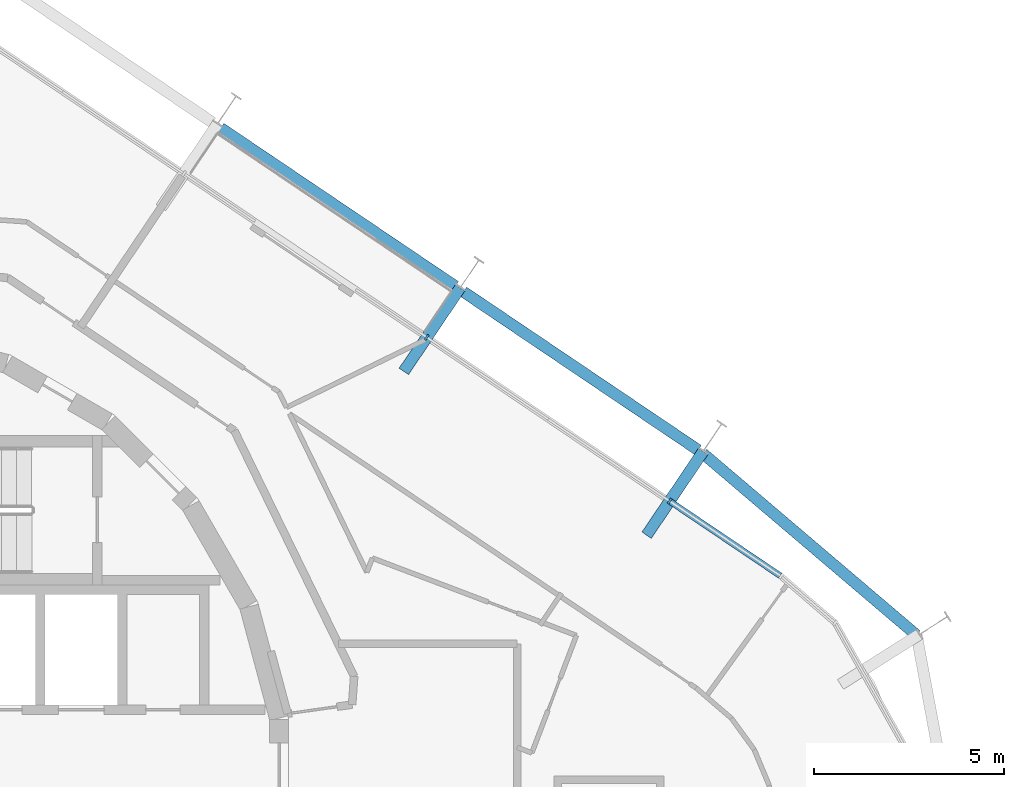
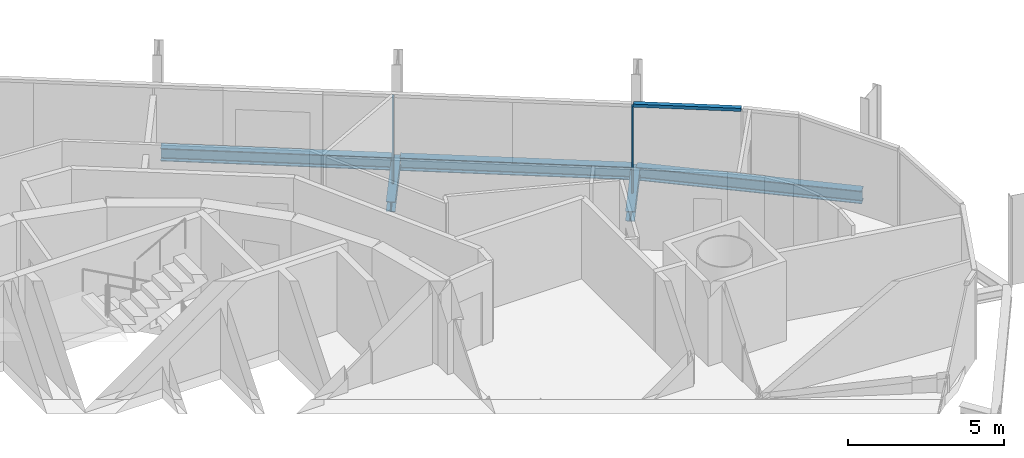
# One storey, part 9 of 18: 5 beams, 3 members, 2 elements without a shape of their own.
"""IFC4 building model written with IfcOpenShell, lengths in metres."""

from ifc_helpers import new_model, si_unit, direction, frame, origin, origin_2d, place, context, subcontext, project, spatial, rectangle, i_section, extrude, material, layer, layer_set, material_profile, profile_set, type_object, element, aggregate, save


model = new_model("IFC4")

# Units and contexts
model_context = context("Model", 3, precision=1e-05, world=origin(), true_north=direction((0.0, 1.0)))
body_context = subcontext(model_context, "Body", "Model", "MODEL_VIEW")
ifc_project = project(units=[si_unit("LENGTHUNIT", "METRE"), si_unit("AREAUNIT", "SQUARE_METRE"), si_unit("VOLUMEUNIT", "CUBIC_METRE"), si_unit("PLANEANGLEUNIT", "RADIAN"), si_unit("MASSUNIT", "GRAM", prefix="KILO")], contexts=[model_context])

# Site, building, storey
site_placement = place(None, origin())
site = spatial("IfcSite", under=ifc_project, at=site_placement, CompositionType="ELEMENT")
building_placement = place(site_placement, origin())
building = spatial("IfcBuilding", under=site, at=building_placement, Name="Spindle Arch Residences", CompositionType="ELEMENT")
storey_placement = place(building_placement, frame((0.0, 0.0, 195.39990234375)))
storey = spatial("IfcBuildingStorey", under=building, at=storey_placement, Name="L49", CompositionType="ELEMENT", Elevation=195.39990234375)

# Curtain wall, members
ifc_material_1 = material(Name="Aluminium bronze unitised frame with tinted glass", Category="aluminium")
ifc_layer_1 = layer(ifc_material_1, 0.159912109375)
ifc_layer_set_1 = layer_set([ifc_layer_1], Name="CW-C typical residential unitised wall")
curtain_wall_type_1 = type_object("IfcCurtainWallType", Name="CW-C typical residential unitised wall", PredefinedType="NOTDEFINED", material=ifc_layer_set_1)
curtain_wall_1_placement = place(storey_placement, origin())
curtain_wall_1 = element("IfcCurtainWall", 1, at=curtain_wall_1_placement, inside=storey, type_object=curtain_wall_type_1, Name="CW-C L49 run 2", PredefinedType="NOTDEFINED")
ifc_material_2 = material(Name="Aluminium bronze anodised mullion", Category="aluminium")
ifc_material_profile_1 = material_profile(ifc_material_2, rectangle(XDim=0.159912109375, YDim=0.06005859375, at=origin_2d()), Name="MU 60x160")
ifc_profile_set_1 = profile_set([ifc_material_profile_1], Name="Aluminium bronze anodised mullion")
member_type_1 = type_object("IfcMemberType", Name="Bronze mullion 60x160", PredefinedType="MULLION", material=ifc_profile_set_1)
member_1_placement = place(storey_placement, frame((21.905029296875, 7.25146484375, -0.3798828125), z_axis=(0.0, 0.0, 1.0), x_axis=(-0.559192903471, -0.829037572555, 0.0)))
member_1 = element("IfcMember", 2, at=member_1_placement, type_object=member_type_1, Name="CW-C mullion 05", PredefinedType="MULLION", context=body_context, shape_type="SweptSolid", body=[
    extrude(rectangle(XDim=0.159912109375, YDim=0.06005859375, at=origin_2d()), origin(), (0.0, 0.0, 1.0), 3.3798828125),
])
member_2_placement = place(storey_placement, frame((15.526611328125, 11.5537109375, -0.3798828125), z_axis=(0.0, 0.0, 1.0), x_axis=(-0.559192903471, -0.829037572555, 0.0)))
member_2 = element("IfcMember", 3, at=member_2_placement, type_object=member_type_1, Name="CW-C mullion 06", PredefinedType="MULLION", context=body_context, shape_type="SweptSolid", body=[
    extrude(rectangle(XDim=0.159912109375, YDim=0.06005859375, at=origin_2d()), origin(), (0.0, 0.0, 1.0), 3.3798828125),
])
aggregate(curtain_wall_1, [member_1, member_2])

# Curtain wall, member
ifc_material_3 = material(Name="Aluminium bronze unitised frame with tinted glass", Category="aluminium")
ifc_layer_2 = layer(ifc_material_3, 0.159912109375)
ifc_layer_set_2 = layer_set([ifc_layer_2], Name="CW-D corner wall on the fillet arcs")
curtain_wall_type_2 = type_object("IfcCurtainWallType", Name="CW-D corner wall on the fillet arcs", PredefinedType="NOTDEFINED", material=ifc_layer_set_2)
curtain_wall_2_placement = place(storey_placement, origin())
curtain_wall_2 = element("IfcCurtainWall", 4, at=curtain_wall_2_placement, inside=storey, type_object=curtain_wall_type_2, Name="CW-D L49 run 1", PredefinedType="NOTDEFINED")
ifc_material_4 = material(Name="Aluminium bronze anodised transom", Category="aluminium")
ifc_material_profile_2 = material_profile(ifc_material_4, rectangle(XDim=0.159912109375, YDim=0.1201171875, at=origin_2d()), Name="TR 120x160")
ifc_profile_set_2 = profile_set([ifc_material_profile_2], Name="Aluminium bronze anodised transom")
member_type_2 = type_object("IfcMemberType", Name="Bronze transom 120x160", PredefinedType="USERDEFINED", material=ifc_profile_set_2)
member_3_placement = place(storey_placement, frame((24.805419921875, 5.295166015625, 3.06005859375), z_axis=(-0.829049362711, 0.559175423448, 0.0), x_axis=(-0.559175423448, -0.829049362711, 0.0)))
member_3 = element("IfcMember", 5, at=member_3_placement, type_object=member_type_2, Name="CW-D transom 06", ObjectType="TRANSOM", PredefinedType="USERDEFINED", context=body_context, shape_type="SweptSolid", body=[
    extrude(rectangle(XDim=0.159912109375, YDim=0.1201171875, at=origin_2d()), origin(), (0.0, 0.0, 1.0), 3.468505859375),
])
aggregate(curtain_wall_2, [member_3])

# Beams
ifc_material_5 = material(Name="Steel S460ML, intumescent coating R 120", Category="steel")
ifc_material_profile_3 = material_profile(ifc_material_5, i_section(OverallWidth=0.300048828125, OverallDepth=0.5, WebThickness=0.014404296875, FlangeThickness=0.028076171875, FilletRadius=0.027099609375, at=origin_2d()), Name="HEB 500")
ifc_profile_set_3 = profile_set([ifc_material_profile_3], Name="Steel S460ML, intumescent coating R 120")
beam_type_1 = type_object("IfcBeamType", Name="Exoskeleton edge beam HEB 500", PredefinedType="BEAM", material=ifc_profile_set_3)
beam_placement = place(storey_placement, frame((28.39208984375, 3.72998046875, -0.6298828125), z_axis=(-0.761813327651, 0.647796614543, 0.0), x_axis=(-0.647796614543, -0.761813327651, 0.0)))
element("IfcBeam", 6, at=beam_placement, inside=storey, type_object=beam_type_1, Name="Exoskeleton edge beam 5", PredefinedType="BEAM", context=body_context, shape_type="SweptSolid", body=[
    extrude(i_section(OverallWidth=0.300048828125, OverallDepth=0.5, WebThickness=0.014404296875, FlangeThickness=0.028076171875, FilletRadius=0.027099609375, at=origin_2d()), origin(), (0.0, 0.0, 1.0), 7.36376953125),
])
for number, where, z_axis, x_axis, name in (
    (7, (22.65283203125, 8.592529296875, -0.6298828125), (-0.829031763913, 0.55920151504, 0.0), (-0.55920151504, -0.829031763913, 0.0), "Exoskeleton edge beam 6"),
    (8, (16.2744140625, 12.894775390625, -0.6298828125), (-0.829031763913, 0.55920151504, 0.0), (-0.55920151504, -0.829031763913, 0.0), "Exoskeleton edge beam 7"),
):
    element("IfcBeam", number, at=place(storey_placement, frame(where, z_axis=z_axis, x_axis=x_axis)), inside=storey, type_object=beam_type_1, Name=name, PredefinedType="BEAM", context=body_context, shape_type="SweptSolid", body=[
        extrude(i_section(OverallWidth=0.300048828125, OverallDepth=0.5, WebThickness=0.014404296875, FlangeThickness=0.028076171875, FilletRadius=0.027099609375, at=origin_2d()), origin(), (0.0, 0.0, 1.0), 7.433837890625),
    ])
ifc_material_6 = material(Name="Steel S460ML, intumescent coating R 120", Category="steel")
ifc_material_profile_4 = material_profile(ifc_material_6, i_section(OverallWidth=0.300048828125, OverallDepth=0.389892578125, WebThickness=0.010986328125, FlangeThickness=0.01904296875, FilletRadius=0.027099609375, at=origin_2d()), Name="HEA 400")
ifc_profile_set_4 = profile_set([ifc_material_profile_4], Name="Steel S460ML, intumescent coating R 120")
beam_type_2 = type_object("IfcBeamType", Name="Floor outrigger HEA 400", PredefinedType="BEAM", material=ifc_profile_set_4)
for number, where, z_axis, x_axis, name in (
    (9, (22.782958984375, 8.552978515625, -0.574951171875), (-0.559199099546, -0.829033393216, 0.0), (0.829033393216, -0.559199099546, 0.0), "Floor outrigger 6"),
    (10, (16.404541015625, 12.855224609375, -0.574951171875), (-0.559199099546, -0.829033393216, 0.0), (0.829033393216, -0.559199099546, 0.0), "Floor outrigger 7"),
):
    element("IfcBeam", number, at=place(storey_placement, frame(where, z_axis=z_axis, x_axis=x_axis)), inside=storey, type_object=beam_type_2, Name=name, PredefinedType="BEAM", context=body_context, shape_type="SweptSolid", body=[
        extrude(i_section(OverallWidth=0.300048828125, OverallDepth=0.389892578125, WebThickness=0.010986328125, FlangeThickness=0.01904296875, FilletRadius=0.027099609375, at=origin_2d()), origin(), (0.0, 0.0, 1.0), 2.650146484375),
    ])

save(model, "model.ifc")
